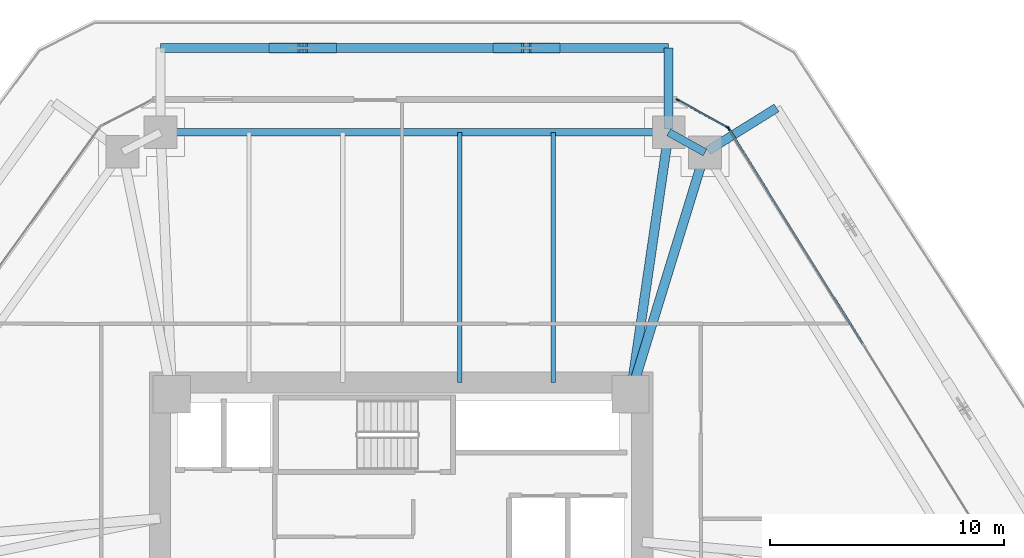
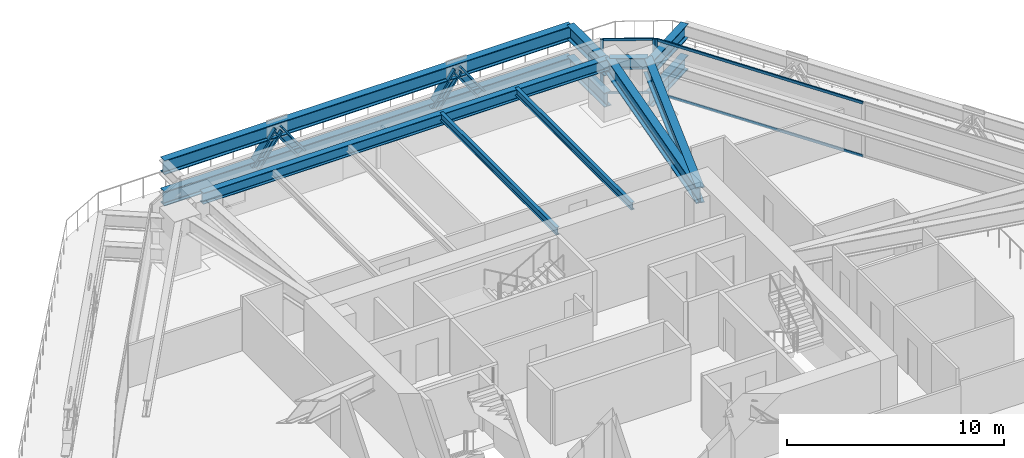
# One storey, part 8 of 20: 12 beams, 11 members, 2 elements without a shape of their own.
"""IFC4 building model written with IfcOpenShell, lengths in metres."""

from ifc_helpers import new_model, si_unit, direction, frame, origin, origin_2d, place, context, subcontext, project, spatial, rectangle, i_section, extrude, source, transform, mapped, material, layer, layer_set, material_profile, profile_set, type_object, type_shapes, element, aggregate, save


model = new_model("IFC4")

# Units and contexts
model_context = context("Model", 3, precision=1e-05, world=origin(), true_north=direction((0.0, 1.0)))
body_context = subcontext(model_context, "Body", "Model", "MODEL_VIEW")
ifc_project = project(units=[si_unit("LENGTHUNIT", "METRE"), si_unit("AREAUNIT", "SQUARE_METRE"), si_unit("VOLUMEUNIT", "CUBIC_METRE"), si_unit("PLANEANGLEUNIT", "RADIAN"), si_unit("MASSUNIT", "GRAM", prefix="KILO")], contexts=[model_context])

# Site, building, storey
site_placement = place(None, origin())
site = spatial("IfcSite", under=ifc_project, at=site_placement, CompositionType="ELEMENT")
building_placement = place(site_placement, origin())
building = spatial("IfcBuilding", under=site, at=building_placement, Name="Durnholm Broadcast Tower", CompositionType="ELEMENT")
storey_placement = place(building_placement, frame((0.0, 0.0, 32.39990234375)))
storey = spatial("IfcBuildingStorey", under=building, at=storey_placement, Name="L06", CompositionType="ELEMENT", Elevation=32.39990234375)

# Beams
ifc_material_1 = material(Name="Steel ASTM A992 Grade 50", Category="steel")
ifc_material_profile_1 = material_profile(ifc_material_1, i_section(OverallWidth=0.3291015625, OverallDepth=0.635009765625, WebThickness=0.017822265625, FlangeThickness=0.031005859375, FilletRadius=0.02783203125, at=origin_2d()), Name="W24X162")
ifc_profile_set_1 = profile_set([ifc_material_profile_1], Name="Steel ASTM A992 Grade 50")
beam_type_1 = type_object("IfcBeamType", Name="STL-SP-W24X162", PredefinedType="SPANDREL", material=ifc_profile_set_1)
shared_shape_1 = source(origin(), body_context, "Body", "SweptSolid", [
    extrude(i_section(OverallWidth=0.3291015625, OverallDepth=0.635009765625, WebThickness=0.017822265625, FlangeThickness=0.031005859375, FilletRadius=0.02783203125, at=origin_2d()), origin(), (0.0, 0.0, 1.0), 21.7138671875),
])
beam_1_placement = place(storey_placement, frame((-10.28271484375, 19.0, 2.7275390625), z_axis=(1.0, 0.0, 0.0), x_axis=(0.0, 1.0, 0.0)))
element("IfcBeam", 1, at=beam_1_placement, inside=storey, type_object=beam_type_1, Name="L06 perimeter spandrel girder 05", PredefinedType="SPANDREL", context=body_context, shape_type="MappedRepresentation", body=[
    mapped(shared_shape_1, transform((0.0, 0.0, 0.0), x_axis=(1.0, 0.0, 0.0), y_axis=(0.0, 1.0, 0.0), z_axis=(0.0, 0.0, 1.0), scale=1.0)),
])
shared_shape_2 = source(origin(), body_context, "Body", "SweptSolid", [
    extrude(i_section(OverallWidth=0.3291015625, OverallDepth=0.635009765625, WebThickness=0.017822265625, FlangeThickness=0.031005859375, FilletRadius=0.02783203125, at=origin_2d()), origin(), (0.0, 0.0, 1.0), 1.774658203125),
])
type_shapes(beam_type_1, [shared_shape_1, shared_shape_2])
beam_2_placement = place(storey_placement, frame((11.43115234375, 19.0, 2.7275390625), z_axis=(0.874248107979, -0.485479397806, 0.0), x_axis=(0.485479397806, 0.874248107979, 0.0)))
element("IfcBeam", 2, at=beam_2_placement, inside=storey, type_object=beam_type_1, Name="L06 perimeter spandrel girder 06", PredefinedType="SPANDREL", context=body_context, shape_type="MappedRepresentation", body=[
    mapped(shared_shape_2, transform((0.0, 0.0, 0.0), x_axis=(1.0, 0.0, 0.0), y_axis=(0.0, 1.0, 0.0), z_axis=(0.0, 0.0, 1.0), scale=1.0)),
])
ifc_material_profile_2 = material_profile(ifc_material_1, i_section(OverallWidth=0.404052734375, OverallDepth=0.885009765625, WebThickness=0.0244140625, FlangeThickness=0.0439453125, FilletRadius=0.03564453125, at=origin_2d()), Name="W33X291")
ifc_profile_set_2 = profile_set([ifc_material_profile_2], Name="Steel ASTM A992 Grade 50")
beam_type_2 = type_object("IfcBeamType", Name="STL-GR-W33X291", PredefinedType="USERDEFINED", material=ifc_profile_set_2)
shared_shape_3 = source(origin(), body_context, "Body", "SweptSolid", [
    extrude(i_section(OverallWidth=0.404052734375, OverallDepth=0.885009765625, WebThickness=0.0244140625, FlangeThickness=0.0439453125, FilletRadius=0.03564453125, at=origin_2d()), origin(), (0.0, 0.0, 1.0), 11.318115234375),
])
beam_3_placement = place(storey_placement, frame((9.800048828125, 7.800048828125, 2.6025390625), z_axis=(0.144114595679, 0.989561005352, 0.0), x_axis=(-0.989561005352, 0.144114595679, 0.0)))
element("IfcBeam", 3, at=beam_3_placement, inside=storey, type_object=beam_type_2, Name="L06 radial primary floor girder 06", ObjectType="GIRDER", PredefinedType="USERDEFINED", context=body_context, shape_type="MappedRepresentation", body=[
    mapped(shared_shape_3, transform((0.0, 0.0, 0.0), x_axis=(1.0, 0.0, 0.0), y_axis=(0.0, 1.0, 0.0), z_axis=(0.0, 0.0, 1.0), scale=1.0)),
])
shared_shape_4 = source(origin(), body_context, "Body", "SweptSolid", [
    extrude(i_section(OverallWidth=0.404052734375, OverallDepth=0.885009765625, WebThickness=0.0244140625, FlangeThickness=0.0439453125, FilletRadius=0.03564453125, at=origin_2d()), origin(), (0.0, 0.0, 1.0), 10.817138671875),
])
type_shapes(beam_type_2, [shared_shape_3, shared_shape_4])
beam_4_placement = place(storey_placement, frame((9.800048828125, 7.800048828125, 2.6025390625), z_axis=(0.294219068418, 0.955738007918, 0.0), x_axis=(-0.955738007918, 0.294219068418, 0.0)))
element("IfcBeam", 4, at=beam_4_placement, inside=storey, type_object=beam_type_2, Name="L06 radial primary floor girder 07", ObjectType="GIRDER", PredefinedType="USERDEFINED", context=body_context, shape_type="MappedRepresentation", body=[
    mapped(shared_shape_4, transform((0.0, 0.0, 0.0), x_axis=(1.0, 0.0, 0.0), y_axis=(0.0, 1.0, 0.0), z_axis=(0.0, 0.0, 1.0), scale=1.0)),
])
ifc_material_profile_3 = material_profile(ifc_material_1, i_section(OverallWidth=0.180908203125, OverallDepth=0.417236328125, WebThickness=0.010986328125, FlangeThickness=0.018310546875, FilletRadius=0.01904296875, at=origin_2d()), Name="W16X57")
ifc_profile_set_3 = profile_set([ifc_material_profile_3], Name="Steel ASTM A992 Grade 50")
beam_type_3 = type_object("IfcBeamType", Name="STL-BJ-W16X57", PredefinedType="JOIST", material=ifc_profile_set_3)
shared_shape_5 = source(origin(), body_context, "Body", "SweptSolid", [
    extrude(i_section(OverallWidth=0.180908203125, OverallDepth=0.417236328125, WebThickness=0.010986328125, FlangeThickness=0.018310546875, FilletRadius=0.01904296875, at=origin_2d()), origin(), (0.0, 0.0, 1.0), 10.699951171875),
])
type_shapes(beam_type_3, [shared_shape_5])
for number, where, z_axis, x_axis, name in (
    (5, (2.5, 8.300048828125, 2.83642578125), (0.0, 1.0, 0.0), (-1.0, 0.0, 0.0), "L06 secondary floor joist 6.2"),
    (6, (6.5, 8.300048828125, 2.83642578125), (0.0, 1.0, 0.0), (-1.0, 0.0, 0.0), "L06 secondary floor joist 7.2"),
):
    element("IfcBeam", number, at=place(storey_placement, frame(where, z_axis=z_axis, x_axis=x_axis)), inside=storey, type_object=beam_type_3, Name=name, PredefinedType="JOIST", context=body_context, shape_type="MappedRepresentation", body=[
        mapped(shared_shape_5, transform((0.0, 0.0, 0.0), x_axis=(1.0, 0.0, 0.0), y_axis=(0.0, 1.0, 0.0), z_axis=(0.0, 0.0, 1.0), scale=1.0)),
    ])
ifc_material_profile_4 = material_profile(ifc_material_1, i_section(OverallWidth=0.385009765625, OverallDepth=0.802978515625, WebThickness=0.023681640625, FlangeThickness=0.0419921875, FilletRadius=0.032958984375, at=origin_2d()), Name="W30X261")
ifc_profile_set_4 = profile_set([ifc_material_profile_4], Name="Steel ASTM A992 Grade 50")
beam_type_4 = type_object("IfcBeamType", Name="BM-EXO-TIE", PredefinedType="USERDEFINED", material=ifc_profile_set_4)
shared_shape_6 = source(origin(), body_context, "Body", "SweptSolid", [
    extrude(i_section(OverallWidth=0.385009765625, OverallDepth=0.802978515625, WebThickness=0.023681640625, FlangeThickness=0.0419921875, FilletRadius=0.032958984375, at=origin_2d()), origin(), (0.0, 0.0, 1.0), 3.4560546875),
])
for number, where, z_axis, x_axis, name in (
    (7, (13.10498046875, 18.214599609375, 0.550048828125), (0.848854443891, 0.528626648105, 0.0), (-0.528626648105, 0.848854443891, 0.0), "L06 zone-base exoskeleton stand-off tie bracket F3.2"),
    (8, (13.10498046875, 18.214599609375, 2.30859375), (0.848854443891, 0.528626648105, 0.0), (-0.528626648105, 0.848854443891, 0.0), "L06 exoskeleton stand-off tie bracket F3.2"),
    (9, (11.43115234375, 19.14404296875, 0.550048828125), (0.0, 1.0, 0.0), (-1.0, 0.0, 0.0), "L06 zone-base exoskeleton stand-off tie bracket F4.1"),
    (10, (11.43115234375, 19.14404296875, 2.30859375), (0.0, 1.0, 0.0), (-1.0, 0.0, 0.0), "L06 exoskeleton stand-off tie bracket F4.1"),
):
    element("IfcBeam", number, at=place(storey_placement, frame(where, z_axis=z_axis, x_axis=x_axis)), inside=storey, type_object=beam_type_4, Name=name, ObjectType="GIRDER", PredefinedType="USERDEFINED", context=body_context, shape_type="MappedRepresentation", body=[
        mapped(shared_shape_6, transform((0.0, 0.0, 0.0), x_axis=(1.0, 0.0, 0.0), y_axis=(0.0, 1.0, 0.0), z_axis=(0.0, 0.0, 1.0), scale=1.0)),
    ])
shared_shape_7 = source(origin(), body_context, "Body", "SweptSolid", [
    extrude(i_section(OverallWidth=0.385009765625, OverallDepth=0.802978515625, WebThickness=0.023681640625, FlangeThickness=0.0419921875, FilletRadius=0.032958984375, at=origin_2d()), origin(), (0.0, 0.0, 1.0), 21.7138671875),
])
type_shapes(beam_type_4, [shared_shape_6, shared_shape_7])
for number, where, z_axis, x_axis, name in (
    (11, (11.43115234375, 22.60009765625, 0.550048828125), (-1.0, 0.0, 0.0), (0.0, -1.0, 0.0), "L06 zone-base exoskeleton collector spandrel F4"),
    (12, (11.43115234375, 22.60009765625, 2.30859375), (-1.0, 0.0, 0.0), (0.0, -1.0, 0.0), "L06 exoskeleton collector spandrel F4"),
):
    element("IfcBeam", number, at=place(storey_placement, frame(where, z_axis=z_axis, x_axis=x_axis)), inside=storey, type_object=beam_type_4, Name=name, PredefinedType="SPANDREL", context=body_context, shape_type="MappedRepresentation", body=[
        mapped(shared_shape_7, transform((0.0, 0.0, 0.0), x_axis=(1.0, 0.0, 0.0), y_axis=(0.0, 1.0, 0.0), z_axis=(0.0, 0.0, 1.0), scale=1.0)),
    ])

# Members
ifc_material_2 = material(Name="Steel ASTM A913 Grade 65", Category="steel")
ifc_material_profile_5 = material_profile(ifc_material_2, i_section(OverallWidth=0.43212890625, OverallDepth=0.497802734375, WebThickness=0.0556640625, FlangeThickness=0.0888671875, FilletRadius=0.030517578125, at=origin_2d()), Name="W14X500")
ifc_profile_set_5 = profile_set([ifc_material_profile_5], Name="Steel ASTM A913 Grade 65")
member_type_1 = type_object("IfcMemberType", Name="STL-DG-W14X500", PredefinedType="BRACE", material=ifc_profile_set_5)
shared_shape_8 = source(origin(), body_context, "Body", "SweptSolid", [
    extrude(i_section(OverallWidth=0.43212890625, OverallDepth=0.497802734375, WebThickness=0.0556640625, FlangeThickness=0.0888671875, FilletRadius=0.030517578125, at=origin_2d()), origin(), (0.0, 0.0, 1.0), 2.148193359375),
])
type_shapes(member_type_1, [shared_shape_8])
for number, where, z_axis, x_axis, name in (
    (13, (6.585205078125, 22.60009765625, 0.550048828125), (-0.574369639306, 0.0, 0.818596064884), (0.0, -1.0, 0.0), "L06 stand-off diagrid brace F4.D1.1"),
    (14, (4.117431640625, 22.60009765625, 0.550048828125), (0.574369639306, 0.0, 0.818596064884), (0.0, 1.0, 0.0), "L06 stand-off diagrid brace F4.D1.2"),
    (15, (-2.968994140625, 22.60009765625, 0.550048828125), (-0.574369639306, 0.0, 0.818596064884), (0.0, -1.0, 0.0), "L06 stand-off diagrid brace F4.D2.1"),
    (16, (-5.436767578125, 22.60009765625, 0.550048828125), (0.574369639306, 0.0, 0.818596064884), (0.0, 1.0, 0.0), "L06 stand-off diagrid brace F4.D2.2"),
):
    element("IfcMember", number, at=place(storey_placement, frame(where, z_axis=z_axis, x_axis=x_axis)), inside=storey, type_object=member_type_1, Name=name, PredefinedType="BRACE", context=body_context, shape_type="MappedRepresentation", body=[
        mapped(shared_shape_8, transform((0.0, 0.0, 0.0), x_axis=(1.0, 0.0, 0.0), y_axis=(0.0, 1.0, 0.0), z_axis=(0.0, 0.0, 1.0), scale=1.0)),
    ])

# Curtain wall, members
ifc_material_3 = material(Name="Aluminium and Solar Control IGU", Category="aluminium")
ifc_layer_1 = layer(ifc_material_3, 0.1650390625)
ifc_layer_set_1 = layer_set([ifc_layer_1], Name="Aluminium and Solar Control IGU")
curtain_wall_type_1 = type_object("IfcCurtainWallType", Name="CW-SYS-5", PredefinedType="NOTDEFINED", material=ifc_layer_set_1)
curtain_wall_1_placement = place(storey_placement, origin())
curtain_wall_1 = element("IfcCurtainWall", 17, at=curtain_wall_1_placement, inside=storey, type_object=curtain_wall_type_1, Name="L06 curtain wall CW-CORNER CW-L06-CRN-05", PredefinedType="NOTDEFINED")
ifc_material_4 = material(Name="Aluminium 6063-T6", Category="aluminium")
ifc_material_profile_6 = material_profile(ifc_material_4, rectangle(XDim=0.06494140625, YDim=0.1650390625, at=origin_2d()), Name="CWM65X165")
ifc_profile_set_6 = profile_set([ifc_material_profile_6], Name="Aluminium 6063-T6")
member_type_2 = type_object("IfcMemberType", Name="CW-SYS-5-MUL", PredefinedType="MULLION", material=ifc_profile_set_6)
shared_shape_9 = source(origin(), body_context, "Body", "SweptSolid", [
    extrude(rectangle(XDim=0.06494140625, YDim=0.1650390625, at=origin_2d()), origin(), (0.0, 0.0, 1.0), 3.06005859375),
])
type_shapes(member_type_2, [shared_shape_9])
member_1_placement = place(storey_placement, frame((11.822265625, 20.38427734375, 0.0), z_axis=(0.0, 0.0, 1.0), x_axis=(0.485483299359, 0.874245941394, 0.0)))
member_1 = element("IfcMember", 18, at=member_1_placement, type_object=member_type_2, Name="CW-CORNER mullion 1", PredefinedType="MULLION", context=body_context, shape_type="MappedRepresentation", body=[
    mapped(shared_shape_9, transform((0.0, 0.0, 0.0), x_axis=(1.0, 0.0, 0.0), y_axis=(0.0, 1.0, 0.0), z_axis=(0.0, 0.0, 1.0), scale=1.0)),
])
member_2_placement = place(storey_placement, frame((13.950927734375, 19.2021484375, 0.0), z_axis=(0.0, 0.0, 1.0), x_axis=(0.485483299359, 0.874245941394, 0.0)))
member_2 = element("IfcMember", 19, at=member_2_placement, type_object=member_type_2, Name="CW-CORNER mullion 2", PredefinedType="MULLION", context=body_context, shape_type="MappedRepresentation", body=[
    mapped(shared_shape_9, transform((0.0, 0.0, 0.0), x_axis=(1.0, 0.0, 0.0), y_axis=(0.0, 1.0, 0.0), z_axis=(0.0, 0.0, 1.0), scale=1.0)),
])
ifc_material_profile_7 = material_profile(ifc_material_4, rectangle(XDim=0.06494140625, YDim=0.1298828125, at=origin_2d()), Name="CWT65X130")
ifc_profile_set_7 = profile_set([ifc_material_profile_7], Name="Aluminium 6063-T6")
member_type_3 = type_object("IfcMemberType", Name="CW-SYS-5-TRN", PredefinedType="USERDEFINED", material=ifc_profile_set_7)
shared_shape_10 = source(origin(), body_context, "Body", "SweptSolid", [
    extrude(rectangle(XDim=0.06494140625, YDim=0.1298828125, at=origin_2d()), origin(), (0.0, 0.0, 1.0), 2.3701171875),
])
type_shapes(member_type_3, [shared_shape_10])
member_3_placement = place(storey_placement, frame((11.8505859375, 20.368408203125, 0.03271484375), z_axis=(0.874244723151, -0.485485493132, 0.0), x_axis=(0.485485493132, 0.874244723151, 0.0)))
member_3 = element("IfcMember", 20, at=member_3_placement, type_object=member_type_3, Name="CW-CORNER transom 1.1", ObjectType="TRANSOM", PredefinedType="USERDEFINED", context=body_context, shape_type="MappedRepresentation", body=[
    mapped(shared_shape_10, transform((0.0, 0.0, 0.0), x_axis=(1.0, 0.0, 0.0), y_axis=(0.0, 1.0, 0.0), z_axis=(0.0, 0.0, 1.0), scale=1.0)),
])
member_4_placement = place(storey_placement, frame((11.8505859375, 20.368408203125, 3.027587890625), z_axis=(0.874244723151, -0.485485493132, 0.0), x_axis=(0.485485493132, 0.874244723151, 0.0)))
member_4 = element("IfcMember", 21, at=member_4_placement, type_object=member_type_3, Name="CW-CORNER transom 1.2", ObjectType="TRANSOM", PredefinedType="USERDEFINED", context=body_context, shape_type="MappedRepresentation", body=[
    mapped(shared_shape_10, transform((0.0, 0.0, 0.0), x_axis=(1.0, 0.0, 0.0), y_axis=(0.0, 1.0, 0.0), z_axis=(0.0, 0.0, 1.0), scale=1.0)),
])
aggregate(curtain_wall_1, [member_1, member_2, member_3, member_4])

ifc_layer_2 = layer(ifc_material_3, 0.18994140625)
ifc_layer_set_2 = layer_set([ifc_layer_2], Name="Aluminium and Solar Control IGU")
curtain_wall_type_2 = type_object("IfcCurtainWallType", Name="CW-SYS-3", PredefinedType="NOTDEFINED", material=ifc_layer_set_2)
curtain_wall_2_placement = place(storey_placement, origin())
curtain_wall_2 = element("IfcCurtainWall", 22, at=curtain_wall_2_placement, inside=storey, type_object=curtain_wall_type_2, Name="L06 curtain wall CW-Z12-VIS CW-L06-F06", PredefinedType="NOTDEFINED")
ifc_material_profile_8 = material_profile(ifc_material_4, rectangle(XDim=0.070068359375, YDim=0.18994140625, at=origin_2d()), Name="CWM70X190")
ifc_profile_set_8 = profile_set([ifc_material_profile_8], Name="Aluminium 6063-T6")
member_type_4 = type_object("IfcMemberType", Name="CW-SYS-3-MUL", PredefinedType="MULLION", material=ifc_profile_set_8)
shared_shape_11 = source(origin(), body_context, "Body", "SweptSolid", [
    extrude(rectangle(XDim=0.070068359375, YDim=0.18994140625, at=origin_2d()), origin(), (0.0, 0.0, 1.0), 3.06005859375),
])
type_shapes(member_type_4, [shared_shape_11])
member_5_placement = place(storey_placement, frame((13.997802734375, 19.156494140625, 0.0), z_axis=(0.0, 0.0, 1.0), x_axis=(0.848875785503, 0.528592376777, 0.0)))
member_5 = element("IfcMember", 23, at=member_5_placement, type_object=member_type_4, Name="CW-Z12-VIS mullion 1", PredefinedType="MULLION", context=body_context, shape_type="MappedRepresentation", body=[
    mapped(shared_shape_11, transform((0.0, 0.0, 0.0), x_axis=(1.0, 0.0, 0.0), y_axis=(0.0, 1.0, 0.0), z_axis=(0.0, 0.0, 1.0), scale=1.0)),
])
ifc_material_profile_9 = material_profile(ifc_material_4, rectangle(XDim=0.070068359375, YDim=0.14990234375, at=origin_2d()), Name="CWT70X150")
ifc_profile_set_9 = profile_set([ifc_material_profile_9], Name="Aluminium 6063-T6")
member_type_5 = type_object("IfcMemberType", Name="CW-SYS-3-TRN", PredefinedType="USERDEFINED", material=ifc_profile_set_9)
shared_shape_12 = source(origin(), body_context, "Body", "SweptSolid", [
    extrude(rectangle(XDim=0.070068359375, YDim=0.14990234375, at=origin_2d()), origin(), (0.0, 0.0, 1.0), 10.796630859375),
])
type_shapes(member_type_5, [shared_shape_12])
member_6_placement = place(storey_placement, frame((14.016357421875, 19.126953125, 0.03515625), z_axis=(0.528591657678, -0.848876233283, 0.0), x_axis=(0.848876233283, 0.528591657678, 0.0)))
member_6 = element("IfcMember", 24, at=member_6_placement, type_object=member_type_5, Name="CW-Z12-VIS transom 1.1", ObjectType="TRANSOM", PredefinedType="USERDEFINED", context=body_context, shape_type="MappedRepresentation", body=[
    mapped(shared_shape_12, transform((0.0, 0.0, 0.0), x_axis=(1.0, 0.0, 0.0), y_axis=(0.0, 1.0, 0.0), z_axis=(0.0, 0.0, 1.0), scale=1.0)),
])
member_7_placement = place(storey_placement, frame((14.016357421875, 19.126953125, 3.025146484375), z_axis=(0.528591657678, -0.848876233283, 0.0), x_axis=(0.848876233283, 0.528591657678, 0.0)))
member_7 = element("IfcMember", 25, at=member_7_placement, type_object=member_type_5, Name="CW-Z12-VIS transom 1.2", ObjectType="TRANSOM", PredefinedType="USERDEFINED", context=body_context, shape_type="MappedRepresentation", body=[
    mapped(shared_shape_12, transform((0.0, 0.0, 0.0), x_axis=(1.0, 0.0, 0.0), y_axis=(0.0, 1.0, 0.0), z_axis=(0.0, 0.0, 1.0), scale=1.0)),
])
aggregate(curtain_wall_2, [member_5, member_6, member_7])

save(model, "model.ifc")
